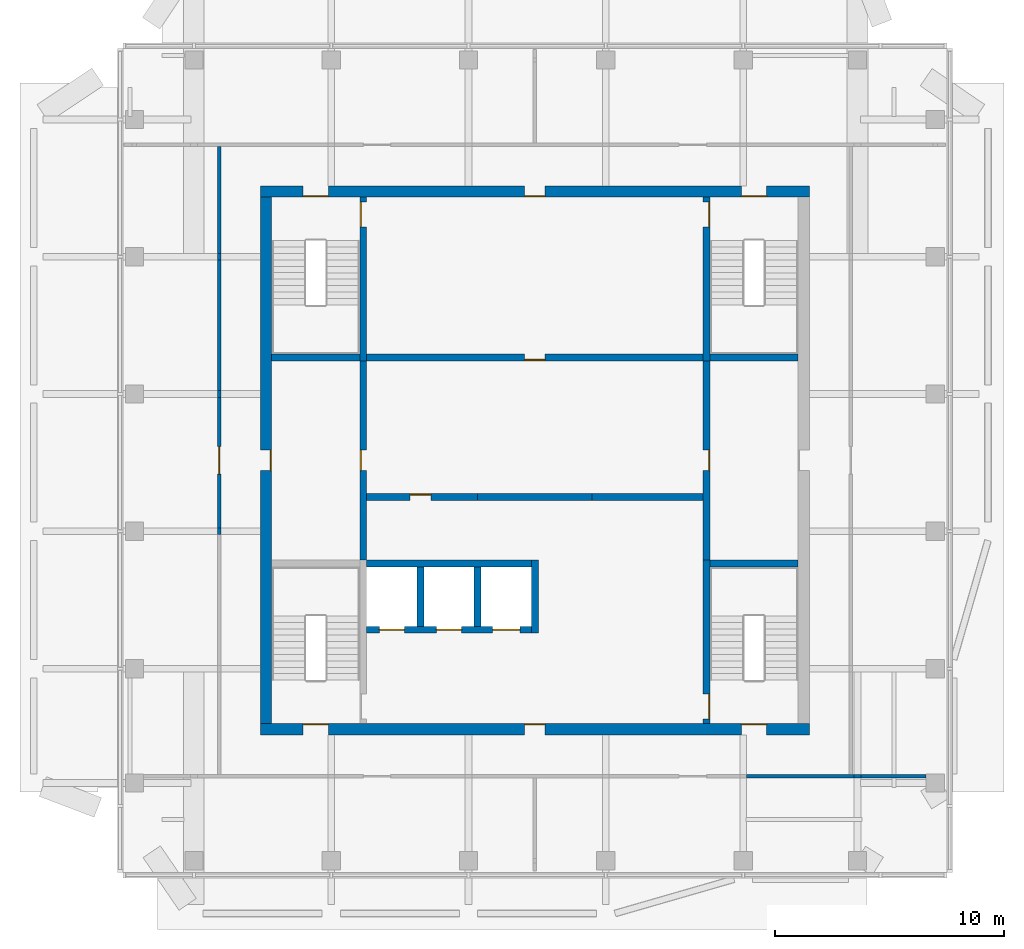
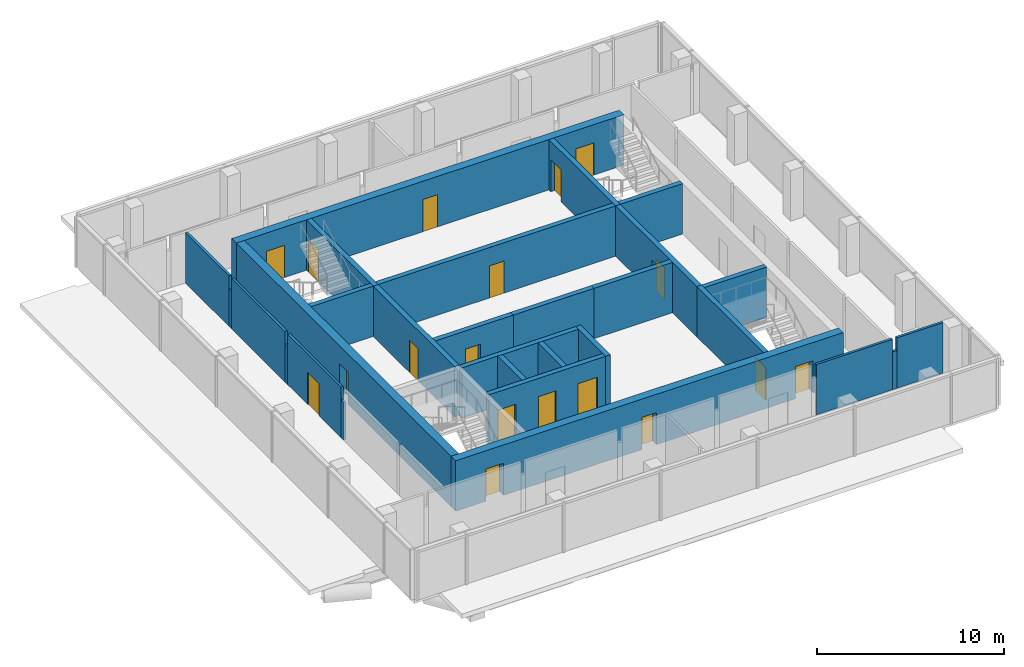
# One storey, part 4 of 6: 29 walls, 18 doors, 18 openings.
"""IFC4 building model written with IfcOpenShell, lengths in metres."""

from ifc_helpers import new_model, si_unit, direction, frame, frame_2d, origin, place, context, subcontext, project, spatial, rectangle, extrude, material, layer, layer_set, type_object, element, fill, save


model = new_model("IFC4")

# Units and contexts
model_context = context("Model", 3, precision=1e-05, world=origin(), true_north=direction((0.0, 1.0)))
body_context = subcontext(model_context, "Body", "Model", "MODEL_VIEW")
ifc_project = project(units=[si_unit("LENGTHUNIT", "METRE"), si_unit("AREAUNIT", "SQUARE_METRE"), si_unit("VOLUMEUNIT", "CUBIC_METRE"), si_unit("PLANEANGLEUNIT", "RADIAN"), si_unit("MASSUNIT", "GRAM", prefix="KILO")], contexts=[model_context])

# Site, building, storey
site_placement = place(None, origin())
site = spatial("IfcSite", under=ifc_project, at=site_placement, CompositionType="ELEMENT")
building_placement = place(site_placement, origin())
building = spatial("IfcBuilding", under=site, at=building_placement, Name="Amberfall Residences", CompositionType="ELEMENT")
storey_placement = place(building_placement, frame((0.0, 0.0, 290.800048828125)))
storey = spatial("IfcBuildingStorey", under=building, at=storey_placement, Name="L78 Crown", CompositionType="ELEMENT", Elevation=290.800048828125)

# Wall, opening, door
ifc_material_1 = material(Name="Concrete blockwork", Category="masonry")
ifc_layer_1 = layer(ifc_material_1, 0.300048828125)
ifc_layer_set_1 = layer_set([ifc_layer_1], Name="Blockwork partition 300")
wall_type_1 = type_object("IfcWallType", Name="Blockwork partition 300", PredefinedType="PARTITIONING", material=ifc_layer_set_1)
wall_1_placement = place(storey_placement, frame((67.0, 41.14990234375, 0.0), z_axis=(0.0, 0.0, 1.0), x_axis=(0.0, 1.0, 0.0)))
wall_1 = element("IfcWall", 1, at=wall_1_placement, inside=storey, type_object=wall_type_1, Name="L78 Crown core wall W1M", PredefinedType="PARTITIONING", context=body_context, shape_type="SweptSolid", body=[
    extrude(rectangle(XDim=8.7001953125, YDim=0.300048828125, at=frame_2d((4.35009765625, 0.0))), origin(), (0.0, 0.0, 1.0), 3.300048828125),
])
opening_1_placement = place(wall_1_placement, frame((3.89990234375, 0.0, 0.0)))
opening_1 = element("IfcOpeningElement", 2, at=opening_1_placement, cuts=wall_1, Name="Opening RD1", PredefinedType="OPENING", context=body_context, shape_type="SweptSolid", body=[
    extrude(rectangle(XDim=0.89990234375, YDim=2.10009765625, at=frame_2d((0.449951171875, 1.050048828125))), frame((0.0, 0.159912109375, 0.0), z_axis=(0.0, -1.0, 0.0), x_axis=(1.0, 0.0, 0.0)), (0.0, 0.0, 1.0), 0.320068359375),
])
ifc_material_2 = material(Name="Steel fire door set", Category="steel")
door_type_1 = type_object("IfcDoorType", Name="Service room door 900 x 2100", OperationType="SINGLE_SWING_LEFT", PredefinedType="DOOR", material=ifc_material_2)
door_1_placement = place(opening_1_placement, origin())
door_1 = element("IfcDoor", 3, at=door_1_placement, inside=storey, type_object=door_type_1, Name="RD1 L78 Crown", OperationType="SINGLE_SWING_LEFT", OverallHeight=2.10009765625, OverallWidth=0.89990234375, PredefinedType="DOOR", context=body_context, shape_type="SweptSolid", body=[
    extrude(rectangle(XDim=0.89990234375, YDim=2.10009765625, at=frame_2d((0.449951171875, 1.050048828125))), frame((0.0, 0.1376953125, 0.0), z_axis=(0.0, -1.0, 0.0), x_axis=(1.0, 0.0, 0.0)), (0.0, 0.0, 1.0), 0.050048828125),
])
fill(opening_1, door_1)

wall_2_placement = place(storey_placement, frame((82.0, 41.14990234375, 0.0), z_axis=(0.0, 0.0, 1.0), x_axis=(0.0, 1.0, 0.0)))
wall_2 = element("IfcWall", 4, at=wall_2_placement, inside=storey, type_object=wall_type_1, Name="L78 Crown core wall W2M", PredefinedType="PARTITIONING", context=body_context, shape_type="SweptSolid", body=[
    extrude(rectangle(XDim=8.7001953125, YDim=0.300048828125, at=frame_2d((4.35009765625, 0.0))), origin(), (0.0, 0.0, 1.0), 3.300048828125),
])
opening_2_placement = place(wall_2_placement, frame((3.89990234375, 0.0, 0.0)))
opening_2 = element("IfcOpeningElement", 5, at=opening_2_placement, cuts=wall_2, Name="Opening RD1", PredefinedType="OPENING", context=body_context, shape_type="SweptSolid", body=[
    extrude(rectangle(XDim=0.89990234375, YDim=2.10009765625, at=frame_2d((0.449951171875, 1.050048828125))), frame((0.0, 0.159912109375, 0.0), z_axis=(0.0, -1.0, 0.0), x_axis=(1.0, 0.0, 0.0)), (0.0, 0.0, 1.0), 0.320068359375),
])
door_2_placement = place(opening_2_placement, origin())
door_2 = element("IfcDoor", 6, at=door_2_placement, inside=storey, type_object=door_type_1, Name="RD1 L78 Crown", OperationType="SINGLE_SWING_RIGHT", OverallHeight=2.10009765625, OverallWidth=0.89990234375, PredefinedType="DOOR", context=body_context, shape_type="SweptSolid", body=[
    extrude(rectangle(XDim=0.89990234375, YDim=2.10009765625, at=frame_2d((0.449951171875, 1.050048828125))), frame((0.0, -0.08740234375, 0.0), z_axis=(0.0, -1.0, 0.0), x_axis=(1.0, 0.0, 0.0)), (0.0, 0.0, 1.0), 0.050048828125),
])
fill(opening_2, door_2)

wall_3_placement = place(storey_placement, frame((67.14990234375, 50.0, 0.0), z_axis=(0.0, 0.0, 1.0), x_axis=(1.0, 0.0, 0.0)))
wall_3 = element("IfcWall", 7, at=wall_3_placement, inside=storey, type_object=wall_type_1, Name="L78 Crown core wall W5", PredefinedType="PARTITIONING", context=body_context, shape_type="SweptSolid", body=[
    extrude(rectangle(XDim=14.7001953125, YDim=0.300048828125, at=frame_2d((7.35009765625, 0.0))), origin(), (0.0, 0.0, 1.0), 3.300048828125),
])
opening_3_placement = place(wall_3_placement, frame((6.89990234375, 0.0, 0.0)))
opening_3 = element("IfcOpeningElement", 8, at=opening_3_placement, cuts=wall_3, Name="Opening RD1", PredefinedType="OPENING", context=body_context, shape_type="SweptSolid", body=[
    extrude(rectangle(XDim=0.89990234375, YDim=2.10009765625, at=frame_2d((0.449951171875, 1.050048828125))), frame((0.0, 0.159912109375, 0.0), z_axis=(0.0, -1.0, 0.0), x_axis=(1.0, 0.0, 0.0)), (0.0, 0.0, 1.0), 0.320068359375),
])
door_3_placement = place(opening_3_placement, origin())
door_3 = element("IfcDoor", 9, at=door_3_placement, inside=storey, type_object=door_type_1, Name="RD1 L78 Crown", OperationType="SINGLE_SWING_RIGHT", OverallHeight=2.10009765625, OverallWidth=0.89990234375, PredefinedType="DOOR", context=body_context, shape_type="SweptSolid", body=[
    extrude(rectangle(XDim=0.89990234375, YDim=2.10009765625, at=frame_2d((0.449951171875, 1.050048828125))), frame((0.0, -0.08740234375, 0.0), z_axis=(0.0, -1.0, 0.0), x_axis=(1.0, 0.0, 0.0)), (0.0, 0.0, 1.0), 0.050048828125),
])
fill(opening_3, door_3)

wall_4_placement = place(storey_placement, frame((67.14990234375, 43.89990234375, 0.0), z_axis=(0.0, 0.0, 1.0), x_axis=(1.0, 0.0, 0.0)))
wall_4 = element("IfcWall", 10, at=wall_4_placement, inside=storey, type_object=wall_type_1, Name="L78 Crown core wall W6", PredefinedType="PARTITIONING", context=body_context, shape_type="SweptSolid", body=[
    extrude(rectangle(XDim=4.85009765625, YDim=0.300048828125, at=frame_2d((2.425048828125, 0.0))), origin(), (0.0, 0.0, 1.0), 3.300048828125),
])
opening_4_placement = place(wall_4_placement, frame((1.89990234375, 0.0, 0.0)))
opening_4 = element("IfcOpeningElement", 11, at=opening_4_placement, cuts=wall_4, Name="Opening RD1", PredefinedType="OPENING", context=body_context, shape_type="SweptSolid", body=[
    extrude(rectangle(XDim=0.89990234375, YDim=2.10009765625, at=frame_2d((0.449951171875, 1.050048828125))), frame((0.0, 0.159912109375, 0.0), z_axis=(0.0, -1.0, 0.0), x_axis=(1.0, 0.0, 0.0)), (0.0, 0.0, 1.0), 0.320068359375),
])
door_4_placement = place(opening_4_placement, origin())
door_4 = element("IfcDoor", 12, at=door_4_placement, inside=storey, type_object=door_type_1, Name="RD1 L78 Crown", OperationType="SINGLE_SWING_LEFT", OverallHeight=2.10009765625, OverallWidth=0.89990234375, PredefinedType="DOOR", context=body_context, shape_type="SweptSolid", body=[
    extrude(rectangle(XDim=0.89990234375, YDim=2.10009765625, at=frame_2d((0.449951171875, 1.050048828125))), frame((0.0, 0.1376953125, 0.0), z_axis=(0.0, -1.0, 0.0), x_axis=(1.0, 0.0, 0.0)), (0.0, 0.0, 1.0), 0.050048828125),
])
fill(opening_4, door_4)

# Wall
wall_5_placement = place(storey_placement, frame((77.0, 43.89990234375, 0.0), z_axis=(0.0, 0.0, 1.0), x_axis=(1.0, 0.0, 0.0)))
element("IfcWall", 13, at=wall_5_placement, inside=storey, type_object=wall_type_1, Name="L78 Crown core wall W6e", PredefinedType="PARTITIONING", context=body_context, shape_type="SweptSolid", body=[
    extrude(rectangle(XDim=4.85009765625, YDim=0.300048828125, at=frame_2d((2.425048828125, 0.0))), origin(), (0.0, 0.0, 1.0), 3.300048828125),
])

# Wall, openings, doors
wall_6_placement = place(storey_placement, frame((67.14990234375, 38.10009765625, 0.0), z_axis=(0.0, 0.0, 1.0), x_axis=(1.0, 0.0, 0.0)))
wall_6 = element("IfcWall", 14, at=wall_6_placement, inside=storey, type_object=wall_type_1, Name="L78 Crown core wall FFF", PredefinedType="PARTITIONING", context=body_context, shape_type="SweptSolid", body=[
    extrude(rectangle(XDim=7.2001953125, YDim=0.300048828125, at=frame_2d((3.60009765625, 0.0))), origin(), (0.0, 0.0, 1.0), 3.300048828125),
])
opening_5_placement = place(wall_6_placement, frame((0.550048828125, 0.0, 0.0)))
opening_5 = element("IfcOpeningElement", 15, at=opening_5_placement, cuts=wall_6, Name="Opening LD2", PredefinedType="OPENING", context=body_context, shape_type="SweptSolid", body=[
    extrude(rectangle(XDim=1.10009765625, YDim=2.10009765625, at=frame_2d((0.550048828125, 1.050048828125))), frame((0.0, 0.159912109375, 0.0), z_axis=(0.0, -1.0, 0.0), x_axis=(1.0, 0.0, 0.0)), (0.0, 0.0, 1.0), 0.320068359375),
])
opening_6_placement = place(wall_6_placement, frame((3.050048828125, 0.0, 0.0)))
opening_6 = element("IfcOpeningElement", 16, at=opening_6_placement, cuts=wall_6, Name="Opening LD2", PredefinedType="OPENING", context=body_context, shape_type="SweptSolid", body=[
    extrude(rectangle(XDim=1.10009765625, YDim=2.10009765625, at=frame_2d((0.550048828125, 1.050048828125))), frame((0.0, 0.159912109375, 0.0), z_axis=(0.0, -1.0, 0.0), x_axis=(1.0, 0.0, 0.0)), (0.0, 0.0, 1.0), 0.320068359375),
])
opening_7_placement = place(wall_6_placement, frame((5.5, 0.0, 0.0)))
opening_7 = element("IfcOpeningElement", 17, at=opening_7_placement, cuts=wall_6, Name="Opening LD3", PredefinedType="OPENING", context=body_context, shape_type="SweptSolid", body=[
    extrude(rectangle(XDim=1.199951171875, YDim=2.10009765625, at=frame_2d((0.60009765625, 1.050048828125))), frame((0.0, 0.159912109375, 0.0), z_axis=(0.0, -1.0, 0.0), x_axis=(1.0, 0.0, 0.0)), (0.0, 0.0, 1.0), 0.320068359375),
])
door_type_2 = type_object("IfcDoorType", Name="Firefighting lift landing door 1100 x 2100", OperationType="DOUBLE_DOOR_SLIDING", PredefinedType="DOOR", material=ifc_material_2)
door_5_placement = place(opening_5_placement, origin())
door_5 = element("IfcDoor", 18, at=door_5_placement, inside=storey, type_object=door_type_2, Name="Landing door FF1 L78 Crown", OperationType="DOUBLE_DOOR_SLIDING", OverallHeight=2.10009765625, OverallWidth=1.10009765625, PredefinedType="DOOR", context=body_context, shape_type="SweptSolid", body=[
    extrude(rectangle(XDim=1.10009765625, YDim=2.10009765625, at=frame_2d((0.550048828125, 1.050048828125))), frame((0.0, 0.02490234375, 0.0), z_axis=(0.0, -1.0, 0.0), x_axis=(1.0, 0.0, 0.0)), (0.0, 0.0, 1.0), 0.050048828125),
])
fill(opening_5, door_5)
door_6_placement = place(opening_6_placement, origin())
door_6 = element("IfcDoor", 19, at=door_6_placement, inside=storey, type_object=door_type_2, Name="Landing door FF2 L78 Crown", OperationType="DOUBLE_DOOR_SLIDING", OverallHeight=2.10009765625, OverallWidth=1.10009765625, PredefinedType="DOOR", context=body_context, shape_type="SweptSolid", body=[
    extrude(rectangle(XDim=1.10009765625, YDim=2.10009765625, at=frame_2d((0.550048828125, 1.050048828125))), frame((0.0, 0.02490234375, 0.0), z_axis=(0.0, -1.0, 0.0), x_axis=(1.0, 0.0, 0.0)), (0.0, 0.0, 1.0), 0.050048828125),
])
fill(opening_6, door_6)
door_type_3 = type_object("IfcDoorType", Name="Service lift landing door 1200 x 2100", OperationType="DOUBLE_DOOR_SLIDING", PredefinedType="DOOR", material=ifc_material_2)
door_7_placement = place(opening_7_placement, origin())
door_7 = element("IfcDoor", 20, at=door_7_placement, inside=storey, type_object=door_type_3, Name="Landing door SL1 L78 Crown", OperationType="DOUBLE_DOOR_SLIDING", OverallHeight=2.10009765625, OverallWidth=1.199951171875, PredefinedType="DOOR", context=body_context, shape_type="SweptSolid", body=[
    extrude(rectangle(XDim=1.199951171875, YDim=2.10009765625, at=frame_2d((0.60009765625, 1.050048828125))), frame((0.0, 0.02490234375, 0.0), z_axis=(0.0, -1.0, 0.0), x_axis=(1.0, 0.0, 0.0)), (0.0, 0.0, 1.0), 0.050048828125),
])
fill(opening_7, door_7)

# Walls
wall_7_placement = place(storey_placement, frame((67.14990234375, 41.0, 0.0), z_axis=(0.0, 0.0, 1.0), x_axis=(1.0, 0.0, 0.0)))
element("IfcWall", 21, at=wall_7_placement, inside=storey, type_object=wall_type_1, Name="L78 Crown core wall FFS", PredefinedType="PARTITIONING", context=body_context, shape_type="SweptSolid", body=[
    extrude(rectangle(XDim=7.2001953125, YDim=0.300048828125, at=frame_2d((3.60009765625, 0.0))), origin(), (0.0, 0.0, 1.0), 3.300048828125),
])
for number, where, z_axis, x_axis, name in (
    (22, (69.5, 38.25, 0.0), (0.0, 0.0, 1.0), (0.0, 1.0, 0.0), "L78 Crown core wall FFD1"),
    (23, (72.0, 38.25, 0.0), (0.0, 0.0, 1.0), (0.0, 1.0, 0.0), "L78 Crown core wall FFD2"),
):
    element("IfcWall", number, at=place(storey_placement, frame(where, z_axis=z_axis, x_axis=x_axis)), inside=storey, type_object=wall_type_1, Name=name, PredefinedType="PARTITIONING", context=body_context, shape_type="SweptSolid", body=[
        extrude(rectangle(XDim=2.60009765625, YDim=0.300048828125, at=frame_2d((1.300048828125, 0.0))), origin(), (0.0, 0.0, 1.0), 3.300048828125),
    ])
wall_8_placement = place(storey_placement, frame((74.5, 37.949951171875, 0.0), z_axis=(0.0, 0.0, 1.0), x_axis=(0.0, 1.0, 0.0)))
element("IfcWall", 24, at=wall_8_placement, inside=storey, type_object=wall_type_1, Name="L78 Crown core wall FFD3", PredefinedType="PARTITIONING", context=body_context, shape_type="SweptSolid", body=[
    extrude(rectangle(XDim=3.199951171875, YDim=0.300048828125, at=frame_2d((1.60009765625, 0.0))), origin(), (0.0, 0.0, 1.0), 3.300048828125),
])
ifc_material_3 = material(Name="Concrete C50", Category="concrete")
ifc_layer_2 = layer(ifc_material_3, 0.300048828125)
ifc_layer_set_2 = layer_set([ifc_layer_2], Name="Core wall 300 C50")
wall_type_2 = type_object("IfcWallType", Name="Core wall 300 C50", PredefinedType="SHEAR", material=ifc_layer_set_2)
wall_9_placement = place(storey_placement, frame((72.0, 43.89990234375, 0.0), z_axis=(0.0, 0.0, 1.0), x_axis=(1.0, 0.0, 0.0)))
element("IfcWall", 25, at=wall_9_placement, inside=storey, type_object=wall_type_2, Name="Spire pier wall RW10 L78 Crown", PredefinedType="SHEAR", context=body_context, shape_type="SweptSolid", body=[
    extrude(rectangle(XDim=5.0, YDim=0.300048828125, at=frame_2d((2.5, 0.0))), origin(), (0.0, 0.0, 1.0), 3.300048828125),
])

# Wall, openings, doors
ifc_layer_3 = layer(ifc_material_3, 0.5)
ifc_layer_set_3 = layer_set([ifc_layer_3], Name="Core wall 500 C50")
wall_type_3 = type_object("IfcWallType", Name="Core wall 500 C50", PredefinedType="SHEAR", material=ifc_layer_set_3)
wall_10_placement = place(storey_placement, frame((62.5, 33.75, 0.0), z_axis=(0.0, 0.0, 1.0), x_axis=(1.0, 0.0, 0.0)))
wall_10 = element("IfcWall", 26, at=wall_10_placement, inside=storey, type_object=wall_type_3, Name="Core wall RW9 L78 Crown OS", PredefinedType="SHEAR", context=body_context, shape_type="SweptSolid", body=[
    extrude(rectangle(XDim=24.0, YDim=0.5, at=frame_2d((12.0, 0.0))), origin(), (0.0, 0.0, 1.0), 3.300048828125),
])
opening_8_placement = place(wall_10_placement, frame((1.875, 0.0, 0.0)))
opening_8 = element("IfcOpeningElement", 27, at=opening_8_placement, cuts=wall_10, Name="Opening SD1", PredefinedType="OPENING", context=body_context, shape_type="SweptSolid", body=[
    extrude(rectangle(XDim=1.10009765625, YDim=2.10009765625, at=frame_2d((0.550048828125, 1.050048828125))), frame((0.0, 0.260009765625, 0.0), z_axis=(0.0, -1.0, 0.0), x_axis=(1.0, 0.0, 0.0)), (0.0, 0.0, 1.0), 0.52001953125),
])
opening_9_placement = place(wall_10_placement, frame((21.02490234375, 0.0, 0.0)))
opening_9 = element("IfcOpeningElement", 28, at=opening_9_placement, cuts=wall_10, Name="Opening SD1", PredefinedType="OPENING", context=body_context, shape_type="SweptSolid", body=[
    extrude(rectangle(XDim=1.10009765625, YDim=2.10009765625, at=frame_2d((0.550048828125, 1.050048828125))), frame((0.0, 0.260009765625, 0.0), z_axis=(0.0, -1.0, 0.0), x_axis=(1.0, 0.0, 0.0)), (0.0, 0.0, 1.0), 0.52001953125),
])
opening_10_placement = place(wall_10_placement, frame((11.550048828125, 0.0, 0.0)))
opening_10 = element("IfcOpeningElement", 29, at=opening_10_placement, cuts=wall_10, Name="Opening RD1", PredefinedType="OPENING", context=body_context, shape_type="SweptSolid", body=[
    extrude(rectangle(XDim=0.89990234375, YDim=2.10009765625, at=frame_2d((0.449951171875, 1.050048828125))), frame((0.0, 0.260009765625, 0.0), z_axis=(0.0, -1.0, 0.0), x_axis=(1.0, 0.0, 0.0)), (0.0, 0.0, 1.0), 0.52001953125),
])
door_8_placement = place(opening_10_placement, origin())
door_8 = element("IfcDoor", 30, at=door_8_placement, inside=storey, type_object=door_type_1, Name="RD1 L78 Crown", OperationType="SINGLE_SWING_LEFT", OverallHeight=2.10009765625, OverallWidth=0.89990234375, PredefinedType="DOOR", context=body_context, shape_type="SweptSolid", body=[
    extrude(rectangle(XDim=0.89990234375, YDim=2.10009765625, at=frame_2d((0.449951171875, 1.050048828125))), frame((0.0, 0.2373046875, 0.0), z_axis=(0.0, -1.0, 0.0), x_axis=(1.0, 0.0, 0.0)), (0.0, 0.0, 1.0), 0.050048828125),
])
fill(opening_10, door_8)
door_type_4 = type_object("IfcDoorType", Name="Stair door 1100 x 2100", OperationType="SINGLE_SWING_LEFT", PredefinedType="DOOR", material=ifc_material_2)
door_9_placement = place(opening_8_placement, origin())
door_9 = element("IfcDoor", 31, at=door_9_placement, inside=storey, type_object=door_type_4, Name="SD1 L78 Crown", OperationType="SINGLE_SWING_LEFT", OverallHeight=2.10009765625, OverallWidth=1.10009765625, PredefinedType="DOOR", context=body_context, shape_type="SweptSolid", body=[
    extrude(rectangle(XDim=1.10009765625, YDim=2.10009765625, at=frame_2d((0.550048828125, 1.050048828125))), frame((0.0, 0.2373046875, 0.0), z_axis=(0.0, -1.0, 0.0), x_axis=(1.0, 0.0, 0.0)), (0.0, 0.0, 1.0), 0.050048828125),
])
fill(opening_8, door_9)
door_10_placement = place(opening_9_placement, origin())
door_10 = element("IfcDoor", 32, at=door_10_placement, inside=storey, type_object=door_type_4, Name="SD1 L78 Crown", OperationType="SINGLE_SWING_RIGHT", OverallHeight=2.10009765625, OverallWidth=1.10009765625, PredefinedType="DOOR", context=body_context, shape_type="SweptSolid", body=[
    extrude(rectangle(XDim=1.10009765625, YDim=2.10009765625, at=frame_2d((0.550048828125, 1.050048828125))), frame((0.0, 0.2373046875, 0.0), z_axis=(0.0, -1.0, 0.0), x_axis=(1.0, 0.0, 0.0)), (0.0, 0.0, 1.0), 0.050048828125),
])
fill(opening_9, door_10)

wall_11_placement = place(storey_placement, frame((62.5, 57.25, 0.0), z_axis=(0.0, 0.0, 1.0), x_axis=(1.0, 0.0, 0.0)))
wall_11 = element("IfcWall", 33, at=wall_11_placement, inside=storey, type_object=wall_type_3, Name="Core wall RW9 L78 Crown ON", PredefinedType="SHEAR", context=body_context, shape_type="SweptSolid", body=[
    extrude(rectangle(XDim=24.0, YDim=0.5, at=frame_2d((12.0, 0.0))), origin(), (0.0, 0.0, 1.0), 3.300048828125),
])
opening_11_placement = place(wall_11_placement, frame((21.02490234375, 0.0, 0.0)))
opening_11 = element("IfcOpeningElement", 34, at=opening_11_placement, cuts=wall_11, Name="Opening SD1", PredefinedType="OPENING", context=body_context, shape_type="SweptSolid", body=[
    extrude(rectangle(XDim=1.10009765625, YDim=2.10009765625, at=frame_2d((0.550048828125, 1.050048828125))), frame((0.0, 0.260009765625, 0.0), z_axis=(0.0, -1.0, 0.0), x_axis=(1.0, 0.0, 0.0)), (0.0, 0.0, 1.0), 0.52001953125),
])
opening_12_placement = place(wall_11_placement, frame((1.875, 0.0, 0.0)))
opening_12 = element("IfcOpeningElement", 35, at=opening_12_placement, cuts=wall_11, Name="Opening SD1", PredefinedType="OPENING", context=body_context, shape_type="SweptSolid", body=[
    extrude(rectangle(XDim=1.10009765625, YDim=2.10009765625, at=frame_2d((0.550048828125, 1.050048828125))), frame((0.0, 0.260009765625, 0.0), z_axis=(0.0, -1.0, 0.0), x_axis=(1.0, 0.0, 0.0)), (0.0, 0.0, 1.0), 0.52001953125),
])
opening_13_placement = place(wall_11_placement, frame((11.550048828125, 0.0, 0.0)))
opening_13 = element("IfcOpeningElement", 36, at=opening_13_placement, cuts=wall_11, Name="Opening RD1", PredefinedType="OPENING", context=body_context, shape_type="SweptSolid", body=[
    extrude(rectangle(XDim=0.89990234375, YDim=2.10009765625, at=frame_2d((0.449951171875, 1.050048828125))), frame((0.0, 0.260009765625, 0.0), z_axis=(0.0, -1.0, 0.0), x_axis=(1.0, 0.0, 0.0)), (0.0, 0.0, 1.0), 0.52001953125),
])
door_11_placement = place(opening_13_placement, origin())
door_11 = element("IfcDoor", 37, at=door_11_placement, inside=storey, type_object=door_type_1, Name="RD1 L78 Crown", OperationType="SINGLE_SWING_RIGHT", OverallHeight=2.10009765625, OverallWidth=0.89990234375, PredefinedType="DOOR", context=body_context, shape_type="SweptSolid", body=[
    extrude(rectangle(XDim=0.89990234375, YDim=2.10009765625, at=frame_2d((0.449951171875, 1.050048828125))), frame((0.0, -0.1875, 0.0), z_axis=(0.0, -1.0, 0.0), x_axis=(1.0, 0.0, 0.0)), (0.0, 0.0, 1.0), 0.050048828125),
])
fill(opening_13, door_11)
door_12_placement = place(opening_11_placement, origin())
door_12 = element("IfcDoor", 38, at=door_12_placement, inside=storey, type_object=door_type_4, Name="SD1 L78 Crown", OperationType="SINGLE_SWING_RIGHT", OverallHeight=2.10009765625, OverallWidth=1.10009765625, PredefinedType="DOOR", context=body_context, shape_type="SweptSolid", body=[
    extrude(rectangle(XDim=1.10009765625, YDim=2.10009765625, at=frame_2d((0.550048828125, 1.050048828125))), frame((0.0, -0.1875, 0.0), z_axis=(0.0, -1.0, 0.0), x_axis=(1.0, 0.0, 0.0)), (0.0, 0.0, 1.0), 0.050048828125),
])
fill(opening_11, door_12)
door_13_placement = place(opening_12_placement, origin())
door_13 = element("IfcDoor", 39, at=door_13_placement, inside=storey, type_object=door_type_4, Name="SD1 L78 Crown", OperationType="SINGLE_SWING_LEFT", OverallHeight=2.10009765625, OverallWidth=1.10009765625, PredefinedType="DOOR", context=body_context, shape_type="SweptSolid", body=[
    extrude(rectangle(XDim=1.10009765625, YDim=2.10009765625, at=frame_2d((0.550048828125, 1.050048828125))), frame((0.0, -0.1875, 0.0), z_axis=(0.0, -1.0, 0.0), x_axis=(1.0, 0.0, 0.0)), (0.0, 0.0, 1.0), 0.050048828125),
])
fill(opening_12, door_13)

# Wall, opening, door
wall_12_placement = place(storey_placement, frame((62.75, 33.5, 0.0), z_axis=(0.0, 0.0, 1.0), x_axis=(0.0, 1.0, 0.0)))
wall_12 = element("IfcWall", 40, at=wall_12_placement, inside=storey, type_object=wall_type_3, Name="Core wall RW9 L78 Crown OW", PredefinedType="SHEAR", context=body_context, shape_type="SweptSolid", body=[
    extrude(rectangle(XDim=24.0, YDim=0.5, at=frame_2d((12.0, 0.0))), origin(), (0.0, 0.0, 1.0), 3.300048828125),
])
opening_14_placement = place(wall_12_placement, frame((11.550048828125, 0.0, 0.0)))
opening_14 = element("IfcOpeningElement", 41, at=opening_14_placement, cuts=wall_12, Name="Opening RD1", PredefinedType="OPENING", context=body_context, shape_type="SweptSolid", body=[
    extrude(rectangle(XDim=0.89990234375, YDim=2.10009765625, at=frame_2d((0.449951171875, 1.050048828125))), frame((0.0, 0.260009765625, 0.0), z_axis=(0.0, -1.0, 0.0), x_axis=(1.0, 0.0, 0.0)), (0.0, 0.0, 1.0), 0.52001953125),
])
door_14_placement = place(opening_14_placement, origin())
door_14 = element("IfcDoor", 42, at=door_14_placement, inside=storey, type_object=door_type_1, Name="RD1 L78 Crown", OperationType="SINGLE_SWING_LEFT", OverallHeight=2.10009765625, OverallWidth=0.89990234375, PredefinedType="DOOR", context=body_context, shape_type="SweptSolid", body=[
    extrude(rectangle(XDim=0.89990234375, YDim=2.10009765625, at=frame_2d((0.449951171875, 1.050048828125))), frame((0.0, -0.1875, 0.0), z_axis=(0.0, -1.0, 0.0), x_axis=(1.0, 0.0, 0.0)), (0.0, 0.0, 1.0), 0.050048828125),
])
fill(opening_14, door_14)

# Walls
ifc_material_4 = material(Name="Fire-rated gypsum board on steel studs", Category="steel")
ifc_layer_4 = layer(ifc_material_4, 0.14990234375)
ifc_layer_set_4 = layer_set([ifc_layer_4], Name="Partition 150 fire-rated")
wall_type_4 = type_object("IfcWallType", Name="Partition 150 fire-rated", PredefinedType="PARTITIONING", material=ifc_layer_set_4)
wall_13_placement = place(storey_placement, frame((83.745849609375, 31.699951171875, 0.0), z_axis=(0.0, 0.0, 1.0), x_axis=(1.0, 0.0, 0.0)))
element("IfcWall", 43, at=wall_13_placement, inside=storey, type_object=wall_type_4, Name="Partition 150 fire-rated L78 Crown 011", PredefinedType="PARTITIONING", context=body_context, shape_type="SweptSolid", body=[
    extrude(rectangle(XDim=4.708251953125, YDim=0.14990234375, at=frame_2d((2.35400390625, 0.0))), origin(), (0.0, 0.0, 1.0), 3.300048828125),
])
wall_14_placement = place(storey_placement, frame((88.4541015625, 31.699951171875, 0.0), z_axis=(0.0, 0.0, 1.0), x_axis=(1.0, 0.0, 0.0)))
element("IfcWall", 44, at=wall_14_placement, inside=storey, type_object=wall_type_4, Name="Partition 150 fire-rated L78 Crown 012", PredefinedType="PARTITIONING", context=body_context, shape_type="SweptSolid", body=[
    extrude(rectangle(XDim=0.291748046875, YDim=0.14990234375, at=frame_2d((0.14599609375, 0.0))), origin(), (0.0, 0.0, 1.0), 2.4619140625),
])
wall_15_placement = place(storey_placement, frame((88.745849609375, 31.699951171875, 0.0), z_axis=(0.0, 0.0, 1.0), x_axis=(1.0, 0.0, 0.0)))
element("IfcWall", 45, at=wall_15_placement, inside=storey, type_object=wall_type_4, Name="Partition 150 fire-rated L78 Crown 013", PredefinedType="PARTITIONING", context=body_context, shape_type="SweptSolid", body=[
    extrude(rectangle(XDim=2.854248046875, YDim=0.14990234375, at=frame_2d((1.42724609375, 0.0))), origin(), (0.0, 0.0, 1.0), 3.300048828125),
])
wall_16_placement = place(storey_placement, frame((60.699951171875, 42.254150390625, 0.0), z_axis=(0.0, 0.0, 1.0), x_axis=(0.0, 1.0, 0.0)))
element("IfcWall", 46, at=wall_16_placement, inside=storey, type_object=wall_type_4, Name="Partition 150 fire-rated L78 Crown 034", PredefinedType="PARTITIONING", context=body_context, shape_type="SweptSolid", body=[
    extrude(rectangle(XDim=0.291748046875, YDim=0.14990234375, at=frame_2d((0.14599609375, 0.0))), origin(), (0.0, 0.0, 1.0), 2.46484375),
])

# Wall, opening, door
wall_17_placement = place(storey_placement, frame((60.699951171875, 42.5458984375, 0.0), z_axis=(0.0, 0.0, 1.0), x_axis=(0.0, 1.0, 0.0)))
wall_17 = element("IfcWall", 47, at=wall_17_placement, inside=storey, type_object=wall_type_4, Name="Partition 150 fire-rated L78 Crown 035", PredefinedType="PARTITIONING", context=body_context, shape_type="SweptSolid", body=[
    extrude(rectangle(XDim=5.708251953125, YDim=0.14990234375, at=frame_2d((2.85400390625, 0.0))), origin(), (0.0, 0.0, 1.0), 3.300048828125),
])
opening_15_placement = place(wall_17_placement, frame((2.354248046875, 0.0, 0.0)))
opening_15 = element("IfcOpeningElement", 48, at=opening_15_placement, cuts=wall_17, Name="Opening D7", PredefinedType="OPENING", context=body_context, shape_type="SweptSolid", body=[
    extrude(rectangle(XDim=1.199951171875, YDim=2.10009765625, at=frame_2d((0.60009765625, 1.050048828125))), frame((0.0, 0.0849609375, 0.0), z_axis=(0.0, -1.0, 0.0), x_axis=(1.0, 0.0, 0.0)), (0.0, 0.0, 1.0), 0.169921875),
])
ifc_material_5 = material(Name="Steel fire door leaf", Category="steel")
door_type_5 = type_object("IfcDoorType", Name="Plant room door 1200x2100", OperationType="SINGLE_SWING_LEFT", PredefinedType="DOOR", material=ifc_material_5)
door_15_placement = place(opening_15_placement, origin())
door_15 = element("IfcDoor", 49, at=door_15_placement, inside=storey, type_object=door_type_5, Name="Door Ventilation plant room", OperationType="SINGLE_SWING_LEFT", OverallHeight=2.10009765625, OverallWidth=1.199951171875, PredefinedType="DOOR", context=body_context, shape_type="SweptSolid", body=[
    extrude(rectangle(XDim=1.199951171875, YDim=2.10009765625, at=frame_2d((0.60009765625, 1.050048828125))), frame((0.0, 0.02490234375, 0.0), z_axis=(0.0, -1.0, 0.0), x_axis=(1.0, 0.0, 0.0)), (0.0, 0.0, 1.0), 0.050048828125),
])
fill(opening_15, door_15)

# Walls
wall_18_placement = place(storey_placement, frame((60.699951171875, 48.254150390625, 0.0), z_axis=(0.0, 0.0, 1.0), x_axis=(0.0, 1.0, 0.0)))
element("IfcWall", 50, at=wall_18_placement, inside=storey, type_object=wall_type_4, Name="Partition 150 fire-rated L78 Crown 036", PredefinedType="PARTITIONING", context=body_context, shape_type="SweptSolid", body=[
    extrude(rectangle(XDim=0.291748046875, YDim=0.14990234375, at=frame_2d((0.14599609375, 0.0))), origin(), (0.0, 0.0, 1.0), 2.46484375),
])
wall_19_placement = place(storey_placement, frame((60.699951171875, 48.5458984375, 0.0), z_axis=(0.0, 0.0, 1.0), x_axis=(0.0, 1.0, 0.0)))
element("IfcWall", 51, at=wall_19_placement, inside=storey, type_object=wall_type_4, Name="Partition 150 fire-rated L78 Crown 037", PredefinedType="PARTITIONING", context=body_context, shape_type="SweptSolid", body=[
    extrude(rectangle(XDim=5.708251953125, YDim=0.14990234375, at=frame_2d((2.85400390625, 0.0))), origin(), (0.0, 0.0, 1.0), 3.300048828125),
])
wall_20_placement = place(storey_placement, frame((60.699951171875, 54.254150390625, 0.0), z_axis=(0.0, 0.0, 1.0), x_axis=(0.0, 1.0, 0.0)))
element("IfcWall", 52, at=wall_20_placement, inside=storey, type_object=wall_type_4, Name="Partition 150 fire-rated L78 Crown 038", PredefinedType="PARTITIONING", context=body_context, shape_type="SweptSolid", body=[
    extrude(rectangle(XDim=0.291748046875, YDim=0.14990234375, at=frame_2d((0.14599609375, 0.0))), origin(), (0.0, 0.0, 1.0), 2.458984375),
])
wall_21_placement = place(storey_placement, frame((60.699951171875, 54.5458984375, 0.0), z_axis=(0.0, 0.0, 1.0), x_axis=(0.0, 1.0, 0.0)))
element("IfcWall", 53, at=wall_21_placement, inside=storey, type_object=wall_type_4, Name="Partition 150 fire-rated L78 Crown 039", PredefinedType="PARTITIONING", context=body_context, shape_type="SweptSolid", body=[
    extrude(rectangle(XDim=4.67919921875, YDim=0.14990234375, at=frame_2d((2.339599609375, 0.0))), origin(), (0.0, 0.0, 1.0), 3.300048828125),
])

# Wall, opening, door
ifc_layer_5 = layer(ifc_material_3, 0.300048828125)
ifc_layer_set_5 = layer_set([ifc_layer_5], Name="Stair well wall 300 C50")
wall_type_5 = type_object("IfcWallType", Name="Stair well wall 300 C50", PredefinedType="SHEAR", material=ifc_layer_set_5)
wall_22_placement = place(storey_placement, frame((67.0, 49.85009765625, 0.0), z_axis=(0.0, 0.0, 1.0), x_axis=(0.0, 1.0, 0.0)))
wall_22 = element("IfcWall", 54, at=wall_22_placement, inside=storey, type_object=wall_type_5, Name="L78 Crown stair well wall W1N", PredefinedType="SHEAR", context=body_context, shape_type="SweptSolid", body=[
    extrude(rectangle(XDim=7.14990234375, YDim=0.300048828125, at=frame_2d((3.574951171875, 0.0))), origin(), (0.0, 0.0, 1.0), 3.300048828125),
])
opening_16_placement = place(wall_22_placement, frame((5.85009765625, 0.0, 0.0)))
opening_16 = element("IfcOpeningElement", 55, at=opening_16_placement, cuts=wall_22, Name="Opening SD1", PredefinedType="OPENING", context=body_context, shape_type="SweptSolid", body=[
    extrude(rectangle(XDim=1.10009765625, YDim=2.10009765625, at=frame_2d((0.550048828125, 1.050048828125))), frame((0.0, 0.159912109375, 0.0), z_axis=(0.0, -1.0, 0.0), x_axis=(1.0, 0.0, 0.0)), (0.0, 0.0, 1.0), 0.320068359375),
])
door_16_placement = place(opening_16_placement, origin())
door_16 = element("IfcDoor", 56, at=door_16_placement, inside=storey, type_object=door_type_4, Name="SD1 L78 Crown", OperationType="SINGLE_SWING_LEFT", OverallHeight=2.10009765625, OverallWidth=1.10009765625, PredefinedType="DOOR", context=body_context, shape_type="SweptSolid", body=[
    extrude(rectangle(XDim=1.10009765625, YDim=2.10009765625, at=frame_2d((0.550048828125, 1.050048828125))), frame((0.0, 0.1376953125, 0.0), z_axis=(0.0, -1.0, 0.0), x_axis=(1.0, 0.0, 0.0)), (0.0, 0.0, 1.0), 0.050048828125),
])
fill(opening_16, door_16)

wall_23_placement = place(storey_placement, frame((82.0, 34.0, 0.0), z_axis=(0.0, 0.0, 1.0), x_axis=(0.0, 1.0, 0.0)))
wall_23 = element("IfcWall", 57, at=wall_23_placement, inside=storey, type_object=wall_type_5, Name="L78 Crown stair well wall W2S", PredefinedType="SHEAR", context=body_context, shape_type="SweptSolid", body=[
    extrude(rectangle(XDim=7.14990234375, YDim=0.300048828125, at=frame_2d((3.574951171875, 0.0))), origin(), (0.0, 0.0, 1.0), 3.300048828125),
])
opening_17_placement = place(wall_23_placement, frame((0.199951171875, 0.0, 0.0)))
opening_17 = element("IfcOpeningElement", 58, at=opening_17_placement, cuts=wall_23, Name="Opening SD1", PredefinedType="OPENING", context=body_context, shape_type="SweptSolid", body=[
    extrude(rectangle(XDim=1.10009765625, YDim=2.10009765625, at=frame_2d((0.550048828125, 1.050048828125))), frame((0.0, 0.159912109375, 0.0), z_axis=(0.0, -1.0, 0.0), x_axis=(1.0, 0.0, 0.0)), (0.0, 0.0, 1.0), 0.320068359375),
])
door_17_placement = place(opening_17_placement, origin())
door_17 = element("IfcDoor", 59, at=door_17_placement, inside=storey, type_object=door_type_4, Name="SD1 L78 Crown", OperationType="SINGLE_SWING_RIGHT", OverallHeight=2.10009765625, OverallWidth=1.10009765625, PredefinedType="DOOR", context=body_context, shape_type="SweptSolid", body=[
    extrude(rectangle(XDim=1.10009765625, YDim=2.10009765625, at=frame_2d((0.550048828125, 1.050048828125))), frame((0.0, -0.08740234375, 0.0), z_axis=(0.0, -1.0, 0.0), x_axis=(1.0, 0.0, 0.0)), (0.0, 0.0, 1.0), 0.050048828125),
])
fill(opening_17, door_17)

wall_24_placement = place(storey_placement, frame((82.0, 49.85009765625, 0.0), z_axis=(0.0, 0.0, 1.0), x_axis=(0.0, 1.0, 0.0)))
wall_24 = element("IfcWall", 60, at=wall_24_placement, inside=storey, type_object=wall_type_5, Name="L78 Crown stair well wall W2N", PredefinedType="SHEAR", context=body_context, shape_type="SweptSolid", body=[
    extrude(rectangle(XDim=7.14990234375, YDim=0.300048828125, at=frame_2d((3.574951171875, 0.0))), origin(), (0.0, 0.0, 1.0), 3.300048828125),
])
opening_18_placement = place(wall_24_placement, frame((5.85009765625, 0.0, 0.0)))
opening_18 = element("IfcOpeningElement", 61, at=opening_18_placement, cuts=wall_24, Name="Opening SD1", PredefinedType="OPENING", context=body_context, shape_type="SweptSolid", body=[
    extrude(rectangle(XDim=1.10009765625, YDim=2.10009765625, at=frame_2d((0.550048828125, 1.050048828125))), frame((0.0, 0.159912109375, 0.0), z_axis=(0.0, -1.0, 0.0), x_axis=(1.0, 0.0, 0.0)), (0.0, 0.0, 1.0), 0.320068359375),
])
door_18_placement = place(opening_18_placement, origin())
door_18 = element("IfcDoor", 62, at=door_18_placement, inside=storey, type_object=door_type_4, Name="SD1 L78 Crown", OperationType="SINGLE_SWING_RIGHT", OverallHeight=2.10009765625, OverallWidth=1.10009765625, PredefinedType="DOOR", context=body_context, shape_type="SweptSolid", body=[
    extrude(rectangle(XDim=1.10009765625, YDim=2.10009765625, at=frame_2d((0.550048828125, 1.050048828125))), frame((0.0, -0.08740234375, 0.0), z_axis=(0.0, -1.0, 0.0), x_axis=(1.0, 0.0, 0.0)), (0.0, 0.0, 1.0), 0.050048828125),
])
fill(opening_18, door_18)

# Walls
for number, where, z_axis, x_axis, name in (
    (63, (82.14990234375, 41.0, 0.0), (0.0, 0.0, 1.0), (1.0, 0.0, 0.0), "L78 Crown stair well wall W3e"),
    (64, (63.0, 50.0, 0.0), (0.0, 0.0, 1.0), (1.0, 0.0, 0.0), "L78 Crown stair well wall W4"),
    (65, (82.14990234375, 50.0, 0.0), (0.0, 0.0, 1.0), (1.0, 0.0, 0.0), "L78 Crown stair well wall W4e"),
):
    element("IfcWall", number, at=place(storey_placement, frame(where, z_axis=z_axis, x_axis=x_axis)), inside=storey, type_object=wall_type_5, Name=name, PredefinedType="SHEAR", context=body_context, shape_type="SweptSolid", body=[
        extrude(rectangle(XDim=3.85009765625, YDim=0.300048828125, at=frame_2d((1.925048828125, 0.0))), origin(), (0.0, 0.0, 1.0), 3.300048828125),
    ])

save(model, "model.ifc")
